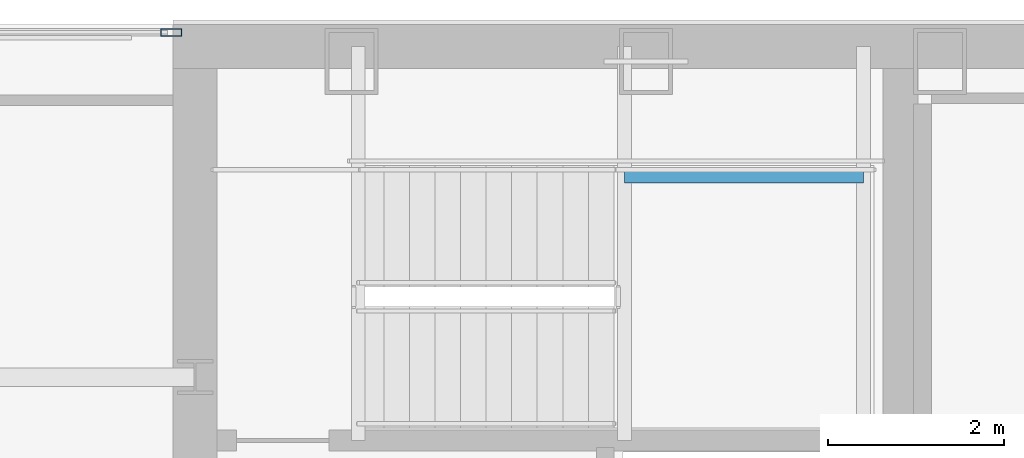
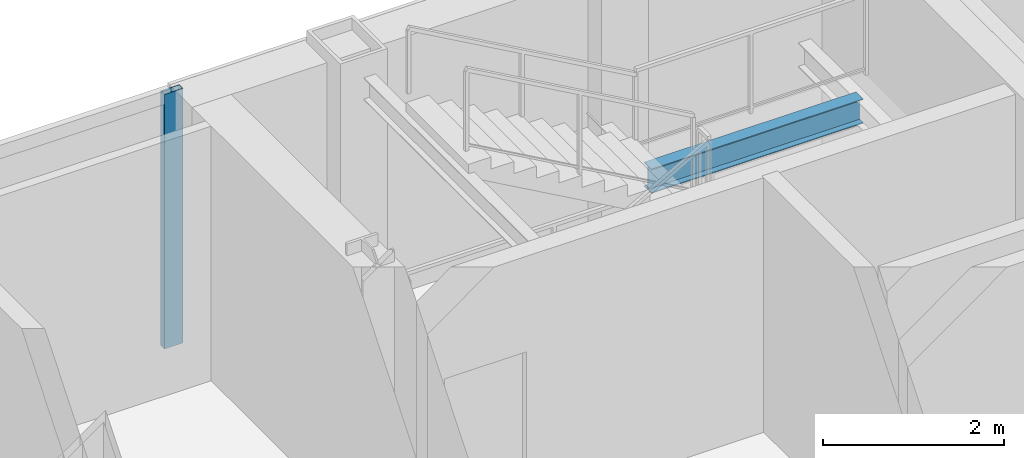
# One storey, part 21 of 30: 1 beam, 1 member, 1 element without a shape of its own.
"""IFC4 building model written with IfcOpenShell, lengths in metres."""

from ifc_helpers import new_model, si_unit, direction, frame, origin, origin_2d, place, context, subcontext, project, spatial, hollow_rectangle, i_section, extrude, material, material_profile, profile_set, type_object, element, aggregate, save


model = new_model("IFC4")

# Units and contexts
model_context = context("Model", 3, precision=1e-05, world=origin(), true_north=direction((0.0, 1.0)))
body_context = subcontext(model_context, "Body", "Model", "MODEL_VIEW")
ifc_project = project(units=[si_unit("LENGTHUNIT", "METRE"), si_unit("AREAUNIT", "SQUARE_METRE"), si_unit("VOLUMEUNIT", "CUBIC_METRE"), si_unit("PLANEANGLEUNIT", "RADIAN"), si_unit("MASSUNIT", "GRAM", prefix="KILO")], contexts=[model_context])

# Site, building, storey
site_placement = place(None, origin())
site = spatial("IfcSite", under=ifc_project, at=site_placement, CompositionType="ELEMENT")
building_placement = place(site_placement, origin())
building = spatial("IfcBuilding", under=site, at=building_placement, Name="Khoronbel Lancet Exchange", CompositionType="ELEMENT")
storey_placement = place(building_placement, frame((0.0, 0.0, 269.800048828125)))
storey = spatial("IfcBuildingStorey", under=building, at=storey_placement, Name="L69", CompositionType="ELEMENT", Elevation=269.800048828125)

# Beam
ifc_material_1 = material(Name="Steel S355", Category="steel")
ifc_material_profile_1 = material_profile(ifc_material_1, i_section(OverallWidth=0.159912109375, OverallDepth=0.330078125, WebThickness=0.007568359375, FlangeThickness=0.011474609375, at=origin_2d()), Name="IPE 330")
ifc_profile_set_1 = profile_set([ifc_material_profile_1], Name="Steel S355")
beam_type = type_object("IfcBeamType", Name="BM-BJ7", PredefinedType="JOIST", material=ifc_profile_set_1)
beam_placement = place(storey_placement, frame((21.320068359375, 51.97998046875, 1.43505859375), z_axis=(1.0, 0.0, 0.0), x_axis=(0.0, 1.0, 0.0)))
element("IfcBeam", 1, at=beam_placement, inside=storey, type_object=beam_type, Name="Level L69 stair ST1 landing cross trimmer beam 1", PredefinedType="JOIST", context=body_context, shape_type="SweptSolid", body=[
    extrude(i_section(OverallWidth=0.159912109375, OverallDepth=0.330078125, WebThickness=0.007568359375, FlangeThickness=0.011474609375, at=origin_2d()), origin(), (0.0, 0.0, 1.0), 2.7099609375),
])

# Curtain wall, member
ifc_material_2 = material(Name="Low-E Solar Control Insulating Glass", Category="glass")
curtain_wall_type = type_object("IfcCurtainWallType", Name="CW-3", PredefinedType="NOTDEFINED", material=ifc_material_2)
curtain_wall_placement = place(storey_placement, origin())
curtain_wall = element("IfcCurtainWall", 2, at=curtain_wall_placement, inside=storey, type_object=curtain_wall_type, Name="Unitised curtain wall CW-L69-NWFLK", PredefinedType="NOTDEFINED")
ifc_material_3 = material(Name="Bronze-Anodised Aluminium 6063-T6", Category="aluminium")
ifc_material_profile_2 = material_profile(ifc_material_3, hollow_rectangle(XDim=0.0849609375, YDim=0.239990234375, WallThickness=0.006103515625, at=origin_2d()), Name="ALU MULLION 85x240")
ifc_profile_set_2 = profile_set([ifc_material_profile_2], Name="Bronze-Anodised Aluminium 6063-T6")
member_type = type_object("IfcMemberType", Name="MEM-CWM1", PredefinedType="MULLION", material=ifc_profile_set_2)
member_placement = place(storey_placement, frame((16.177490234375, 53.610107421875, 0.0), z_axis=(0.0, 0.0, 1.0), x_axis=(0.0, -1.0, 0.0)))
member = element("IfcMember", 3, at=member_placement, type_object=member_type, Name="CW3 mullion 1", PredefinedType="MULLION", context=body_context, shape_type="SweptSolid", body=[
    extrude(hollow_rectangle(XDim=0.0849609375, YDim=0.239990234375, WallThickness=0.006103515625, at=origin_2d()), origin(), (0.0, 0.0, 1.0), 3.43994140625),
])
aggregate(curtain_wall, [member])

save(model, "model.ifc")
